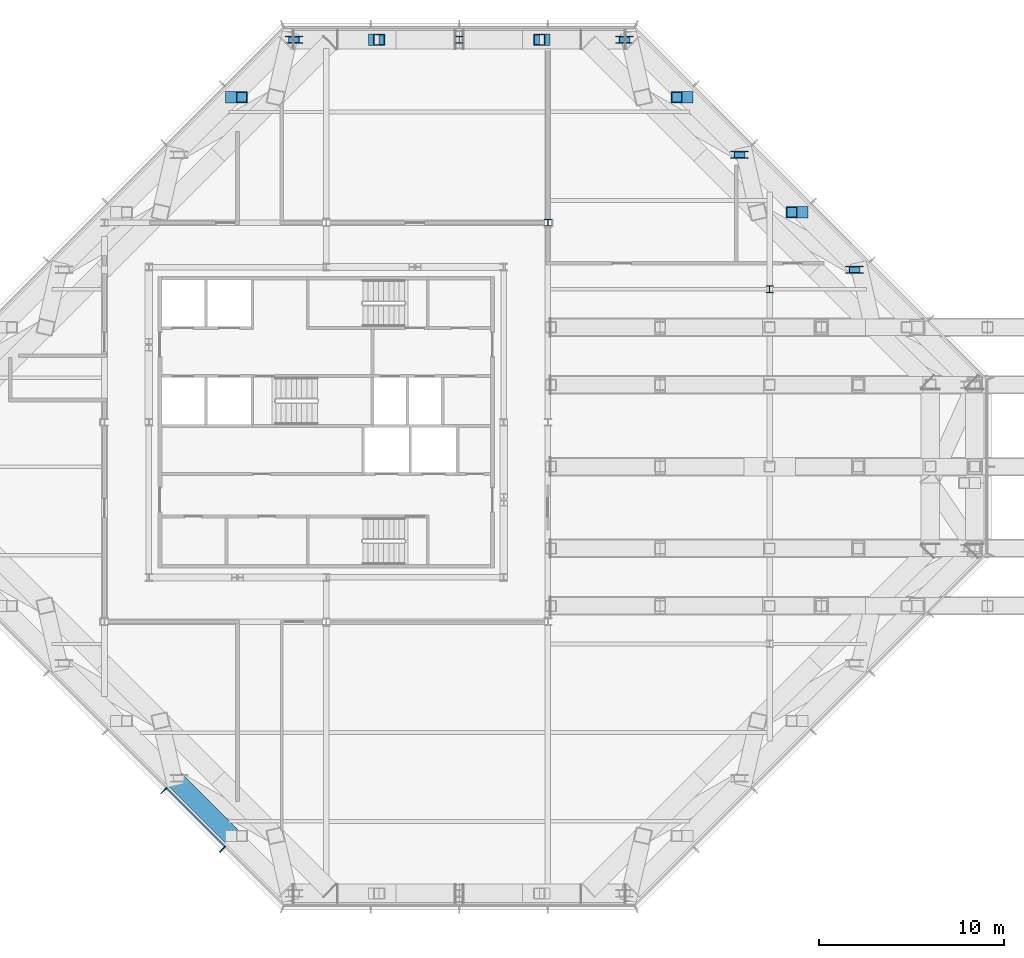
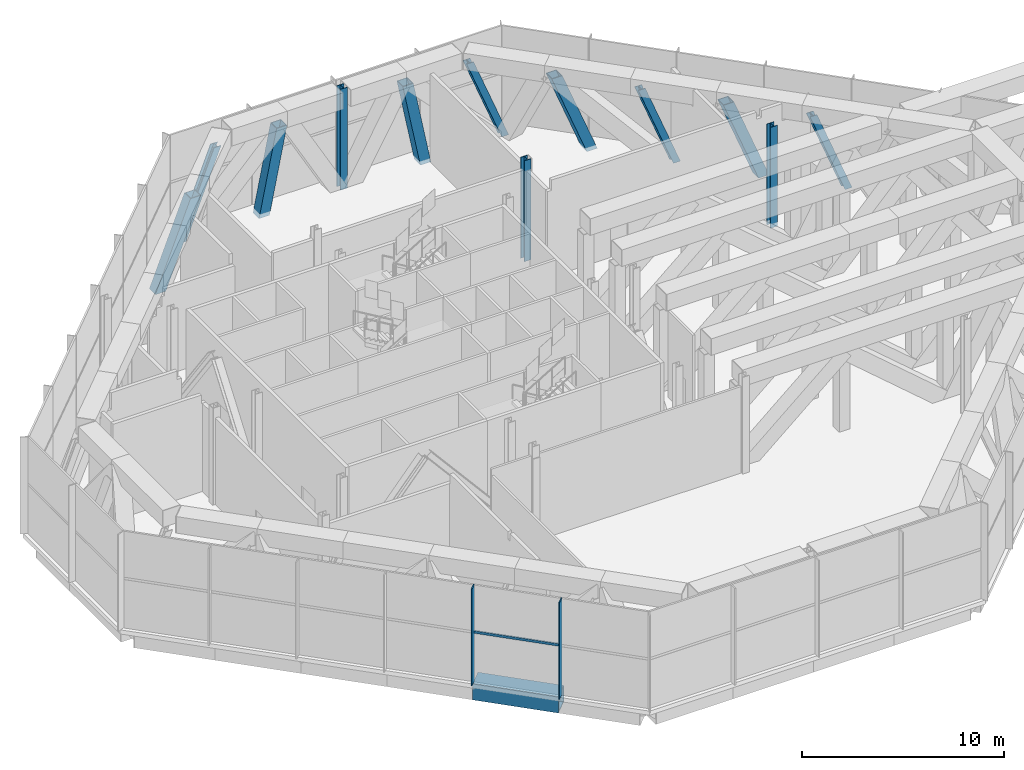
# One storey, part 3 of 18: 12 columns, 3 members, 1 beam, 1 element without a shape of its own.
"""IFC4 building model written with IfcOpenShell, lengths in metres."""

from ifc_helpers import new_model, si_unit, direction, frame, origin, origin_2d, place, context, subcontext, project, spatial, rectangle, hollow_rectangle, i_section, extrude, clip, halfspace, material, material_profile, profile_set, type_object, element, aggregate, save


model = new_model("IFC4")

# Units and contexts
model_context = context("Model", 3, precision=1e-05, world=origin(), true_north=direction((0.0, 1.0)))
body_context = subcontext(model_context, "Body", "Model", "MODEL_VIEW")
ifc_project = project(units=[si_unit("LENGTHUNIT", "METRE"), si_unit("AREAUNIT", "SQUARE_METRE"), si_unit("VOLUMEUNIT", "CUBIC_METRE"), si_unit("PLANEANGLEUNIT", "RADIAN"), si_unit("MASSUNIT", "GRAM", prefix="KILO")], contexts=[model_context])

# Site, building, storey
site_placement = place(None, origin())
site = spatial("IfcSite", under=ifc_project, at=site_placement, CompositionType="ELEMENT")
building_placement = place(site_placement, origin())
building = spatial("IfcBuilding", under=site, at=building_placement, Name="Cairn Pilgrim Tower", CompositionType="ELEMENT")
storey_placement = place(building_placement, frame((0.0, 0.0, 261.0)))
storey = spatial("IfcBuildingStorey", under=building, at=storey_placement, Name="L67", CompositionType="ELEMENT", Elevation=261.0)

# Columns
ifc_material_1 = material(Name="Structural steel S460M", Category="steel")
ifc_material_profile_1 = material_profile(ifc_material_1, hollow_rectangle(XDim=0.60009765625, YDim=0.60009765625, WallThickness=0.034912109375, at=origin_2d()), Name="BOX 600x600x35")
ifc_profile_set_1 = profile_set([ifc_material_profile_1], Name="Structural steel S460M")
column_type_1 = type_object("IfcColumnType", Name="BOX 600x600x35 POST", PredefinedType="USERDEFINED", material=ifc_profile_set_1)
for number, where, z_axis, x_axis, name in (
    (1, (32.963623046875, 13.763671875, -0.25), (0.0, 0.0, 1.0), (1.0, 0.0, 0.0), "BT67-NE-P4"),
    (2, (26.7392578125, 19.98779296875, -0.25), (0.0, 0.0, 1.0), (1.0, 0.0, 0.0), "BT67-NE-P6"),
):
    element("IfcColumn", number, at=place(storey_placement, frame(where, z_axis=z_axis, x_axis=x_axis)), inside=storey, type_object=column_type_1, Name=name, ObjectType="POST", PredefinedType="USERDEFINED", context=body_context, shape_type="Clipping", body=[
        clip(extrude(hollow_rectangle(XDim=0.60009765625, YDim=0.60009765625, WallThickness=0.034912109375, at=origin_2d()), origin(), (-0.366106332628, 0.0, 0.930573024115), 6.55517578125), halfspace(frame((0.0, 0.0, 5.10009765625), z_axis=(0.0, 0.0, 1.0), x_axis=(1.0, 0.0, 0.0)), False)),
    ])
column_1_placement = place(storey_placement, frame((19.013671875, 23.10009765625, -0.25), z_axis=(0.0, 0.0, 1.0), x_axis=(1.0, 0.0, 0.0)))
element("IfcColumn", 3, at=column_1_placement, inside=storey, type_object=column_type_1, Name="BT67-N-P2", ObjectType="POST", PredefinedType="USERDEFINED", context=body_context, shape_type="Clipping", body=[
    clip(extrude(hollow_rectangle(XDim=0.60009765625, YDim=0.60009765625, WallThickness=0.034912109375, at=origin_2d()), origin(), (-0.193011323973, 0.0, 0.981196529151), 6.217041015625), halfspace(frame((0.0, 0.0, 5.10009765625), z_axis=(0.0, 0.0, 1.0), x_axis=(1.0, 0.0, 0.0)), False)),
])
column_2_placement = place(storey_placement, frame((9.786376953125, 23.10009765625, -0.25), z_axis=(0.0, 0.0, 1.0), x_axis=(1.0, 0.0, 0.0)))
element("IfcColumn", 4, at=column_2_placement, inside=storey, type_object=column_type_1, Name="BT67-N-P4", ObjectType="POST", PredefinedType="USERDEFINED", context=body_context, shape_type="Clipping", body=[
    clip(extrude(hollow_rectangle(XDim=0.60009765625, YDim=0.60009765625, WallThickness=0.034912109375, at=origin_2d()), origin(), (0.193011323973, 0.0, 0.981196529151), 6.217041015625), halfspace(frame((0.0, 0.0, 5.10009765625), z_axis=(0.0, 0.0, 1.0), x_axis=(1.0, 0.0, 0.0)), False)),
])
column_3_placement = place(storey_placement, frame((2.060791015625, 19.98779296875, -0.25), z_axis=(0.0, 0.0, 1.0), x_axis=(1.0, 0.0, 0.0)))
element("IfcColumn", 5, at=column_3_placement, inside=storey, type_object=column_type_1, Name="BT67-NW-P2", ObjectType="POST", PredefinedType="USERDEFINED", context=body_context, shape_type="Clipping", body=[
    clip(extrude(hollow_rectangle(XDim=0.60009765625, YDim=0.60009765625, WallThickness=0.034912109375, at=origin_2d()), origin(), (0.366106332628, 0.0, 0.930573024115), 6.55517578125), halfspace(frame((0.0, 0.0, 5.10009765625), z_axis=(0.0, 0.0, 1.0), x_axis=(1.0, 0.0, 0.0)), False)),
])
ifc_material_2 = material(Name="Structural steel S355J2", Category="steel")
ifc_material_profile_2 = material_profile(ifc_material_2, i_section(OverallWidth=0.39404296875, OverallDepth=0.375, WebThickness=0.017333984375, FlangeThickness=0.027587890625, FilletRadius=0.014892578125, at=origin_2d()), Name="HD 400x216")
ifc_profile_set_2 = profile_set([ifc_material_profile_2], Name="Structural steel S355J2")
column_type_2 = type_object("IfcColumnType", Name="HD 400x216", PredefinedType="COLUMN", material=ifc_profile_set_2)
for number, where, z_axis, x_axis, name in (
    (6, (19.199951171875, 13.199951171875, -0.25), (0.0, 0.0, 1.0), (1.0, 0.0, 0.0), "IC-8"),
    (7, (31.199951171875, 9.60009765625, -0.25), (0.0, 0.0, 1.0), (1.0, 0.0, 0.0), "WC-WE+2"),
):
    element("IfcColumn", number, at=place(storey_placement, frame(where, z_axis=z_axis, x_axis=x_axis)), inside=storey, type_object=column_type_2, Name=name, PredefinedType="COLUMN", context=body_context, shape_type="SweptSolid", body=[
        extrude(i_section(OverallWidth=0.39404296875, OverallDepth=0.375, WebThickness=0.017333984375, FlangeThickness=0.027587890625, FilletRadius=0.014892578125, at=origin_2d()), origin(), (0.0, 0.0, 1.0), 6.10009765625),
    ])
ifc_material_profile_3 = material_profile(ifc_material_2, i_section(OverallWidth=0.39892578125, OverallDepth=0.39306640625, WebThickness=0.022705078125, FlangeThickness=0.03662109375, FilletRadius=0.014892578125, at=origin_2d()), Name="HD 400x287")
ifc_profile_set_3 = profile_set([ifc_material_profile_3], Name="Structural steel S355J2")
column_type_3 = type_object("IfcColumnType", Name="HD 400x287 POST", PredefinedType="USERDEFINED", material=ifc_profile_set_3)
column_4_placement = place(storey_placement, frame((36.07568359375, 10.651611328125, -0.25), z_axis=(0.0, 0.0, 1.0), x_axis=(1.0, 0.0, 0.0)))
element("IfcColumn", 8, at=column_4_placement, inside=storey, type_object=column_type_3, Name="BT67-NE-P3", ObjectType="POST", PredefinedType="USERDEFINED", context=body_context, shape_type="Clipping", body=[
    clip(extrude(i_section(OverallWidth=0.39892578125, OverallDepth=0.39306640625, WebThickness=0.022705078125, FlangeThickness=0.03662109375, FilletRadius=0.014892578125, at=origin_2d()), origin(), (-0.366106332628, 0.0, 0.930573024115), 6.55517578125), halfspace(frame((0.0, 0.0, 5.10009765625), z_axis=(0.0, 0.0, 1.0), x_axis=(1.0, 0.0, 0.0)), False)),
])
column_5_placement = place(storey_placement, frame((29.8515625, 16.875732421875, -0.25), z_axis=(0.0, 0.0, 1.0), x_axis=(1.0, 0.0, 0.0)))
element("IfcColumn", 9, at=column_5_placement, inside=storey, type_object=column_type_3, Name="BT67-NE-P5", ObjectType="POST", PredefinedType="USERDEFINED", context=body_context, shape_type="Clipping", body=[
    clip(extrude(i_section(OverallWidth=0.39892578125, OverallDepth=0.39306640625, WebThickness=0.022705078125, FlangeThickness=0.03662109375, FilletRadius=0.014892578125, at=origin_2d()), origin(), (-0.366138583819, 0.0, 0.930560335195), 6.55517578125), halfspace(frame((0.0, 0.0, 5.10009765625), z_axis=(0.0, 0.0, 1.0), x_axis=(1.0, 0.0, 0.0)), False)),
])
column_6_placement = place(storey_placement, frame((23.627197265625, 23.10009765625, -0.25), z_axis=(0.0, 0.0, 1.0), x_axis=(1.0, 0.0, 0.0)))
element("IfcColumn", 10, at=column_6_placement, inside=storey, type_object=column_type_3, Name="BT67-N-P1", ObjectType="POST", PredefinedType="USERDEFINED", context=body_context, shape_type="Clipping", body=[
    clip(extrude(i_section(OverallWidth=0.39892578125, OverallDepth=0.39306640625, WebThickness=0.022705078125, FlangeThickness=0.03662109375, FilletRadius=0.014892578125, at=origin_2d()), origin(), (-0.366106332628, 0.0, 0.930573024115), 6.55517578125), halfspace(frame((0.0, 0.0, 5.10009765625), z_axis=(0.0, 0.0, 1.0), x_axis=(1.0, 0.0, 0.0)), False)),
])
column_7_placement = place(storey_placement, frame((14.39990234375, 23.10009765625, -0.25), z_axis=(0.0, 0.0, 1.0), x_axis=(1.0, 0.0, 0.0)))
element("IfcColumn", 11, at=column_7_placement, inside=storey, type_object=column_type_3, Name="BT67-N-P3", ObjectType="POST", PredefinedType="USERDEFINED", context=body_context, shape_type="SweptSolid", body=[
    extrude(i_section(OverallWidth=0.39892578125, OverallDepth=0.39306640625, WebThickness=0.022705078125, FlangeThickness=0.03662109375, FilletRadius=0.014892578125, at=origin_2d()), origin(), (0.0, 0.0, 1.0), 6.10009765625),
])
column_8_placement = place(storey_placement, frame((5.1728515625, 23.10009765625, -0.25), z_axis=(0.0, 0.0, 1.0), x_axis=(1.0, 0.0, 0.0)))
element("IfcColumn", 12, at=column_8_placement, inside=storey, type_object=column_type_3, Name="BT67-NW-P1", ObjectType="POST", PredefinedType="USERDEFINED", context=body_context, shape_type="Clipping", body=[
    clip(extrude(i_section(OverallWidth=0.39892578125, OverallDepth=0.39306640625, WebThickness=0.022705078125, FlangeThickness=0.03662109375, FilletRadius=0.014892578125, at=origin_2d()), origin(), (0.366106332628, 0.0, 0.930573024115), 6.55517578125), halfspace(frame((0.0, 0.0, 5.10009765625), z_axis=(0.0, 0.0, 1.0), x_axis=(1.0, 0.0, 0.0)), False)),
])

# Beam
ifc_material_profile_4 = material_profile(ifc_material_1, hollow_rectangle(XDim=1.0, YDim=1.0, WallThickness=0.06005859375, at=origin_2d()), Name="BOX 1000x1000x60")
ifc_profile_set_4 = profile_set([ifc_material_profile_4], Name="Structural steel S460M")
beam_type = type_object("IfcBeamType", Name="BOX 1000x1000x60 CHORD", PredefinedType="USERDEFINED", material=ifc_profile_set_4)
beam_placement = place(storey_placement, frame((-1.051513671875, -16.875732421875, -0.75), z_axis=(0.707134515759, -0.707079045527, 0.0), x_axis=(0.707079045527, 0.707134515759, 0.0)))
element("IfcBeam", 13, at=beam_placement, inside=storey, type_object=beam_type, Name="BT67-SW-BC5", ObjectType="CHORD", PredefinedType="USERDEFINED", context=body_context, shape_type="SweptSolid", body=[
    extrude(hollow_rectangle(XDim=1.0, YDim=1.0, WallThickness=0.06005859375, at=origin_2d()), origin(), (0.0, 0.0, 1.0), 4.4013671875),
])

# Curtain wall, members
ifc_material_3 = material(Name="Aluminium alloy 6063-T6 bronze anodised with Bronze tinted laminated low-E glass 8+16+8.8", Category="aluminium")
curtain_wall_type = type_object("IfcCurtainWallType", Name="PLANT LOUVRE CURTAIN WALL", PredefinedType="NOTDEFINED", material=ifc_material_3)
curtain_wall_placement = place(storey_placement, origin())
curtain_wall = element("IfcCurtainWall", 14, at=curtain_wall_placement, inside=storey, type_object=curtain_wall_type, Name="Plant Louvre Curtain Wall SW", PredefinedType="NOTDEFINED")
ifc_material_4 = material(Name="Aluminium alloy 6063-T6 bronze anodised", Category="aluminium")
ifc_material_profile_5 = material_profile(ifc_material_4, rectangle(XDim=0.449951171875, YDim=0.06005859375, at=origin_2d()), Name="FIN MULLION 60x450 BRONZE")
ifc_profile_set_5 = profile_set([ifc_material_profile_5], Name="Aluminium alloy 6063-T6 bronze anodised")
member_type_1 = type_object("IfcMemberType", Name="FIN MULLION 60x450 BRONZE", PredefinedType="MULLION", material=ifc_profile_set_5)
member_1_placement = place(storey_placement, frame((-1.58544921875, -17.53662109375, 0.0), z_axis=(0.0, 0.0, 1.0), x_axis=(-0.707106781187, -0.707106781187, 0.0)))
member_1 = element("IfcMember", 15, at=member_1_placement, type_object=member_type_1, Name="Fin mullion SW5", PredefinedType="MULLION", context=body_context, shape_type="SweptSolid", body=[
    extrude(rectangle(XDim=0.449951171875, YDim=0.06005859375, at=origin_2d()), origin(), (0.0, 0.0, 1.0), 5.85009765625),
])
member_2_placement = place(storey_placement, frame((1.590087890625, -20.71240234375, 0.0), z_axis=(0.0, 0.0, 1.0), x_axis=(-0.707106781187, -0.707106781187, 0.0)))
member_2 = element("IfcMember", 16, at=member_2_placement, type_object=member_type_1, Name="Fin mullion SW6", PredefinedType="MULLION", context=body_context, shape_type="SweptSolid", body=[
    extrude(rectangle(XDim=0.449951171875, YDim=0.06005859375, at=origin_2d()), origin(), (0.0, 0.0, 1.0), 5.85009765625),
])
ifc_material_profile_6 = material_profile(ifc_material_4, rectangle(XDim=0.080078125, YDim=0.14990234375, at=origin_2d()), Name="TRANSOM 80x150 BRONZE")
ifc_profile_set_6 = profile_set([ifc_material_profile_6], Name="Aluminium alloy 6063-T6 bronze anodised")
member_type_2 = type_object("IfcMemberType", Name="TRANSOM 80x150 BRONZE", PredefinedType="USERDEFINED", material=ifc_profile_set_6)
member_3_placement = place(storey_placement, frame((-1.426513671875, -17.419921875, 3.0), z_axis=(0.707106781187, -0.707106781187, 0.0), x_axis=(0.707106781187, 0.707106781187, 0.0)))
member_3 = element("IfcMember", 17, at=member_3_placement, type_object=member_type_2, Name="Transom SW5", ObjectType="TRANSOM", PredefinedType="USERDEFINED", context=body_context, shape_type="SweptSolid", body=[
    extrude(rectangle(XDim=0.080078125, YDim=0.14990234375, at=origin_2d()), origin(), (0.0, 0.0, 1.0), 4.43115234375),
])
aggregate(curtain_wall, [member_1, member_2, member_3])

save(model, "model.ifc")
